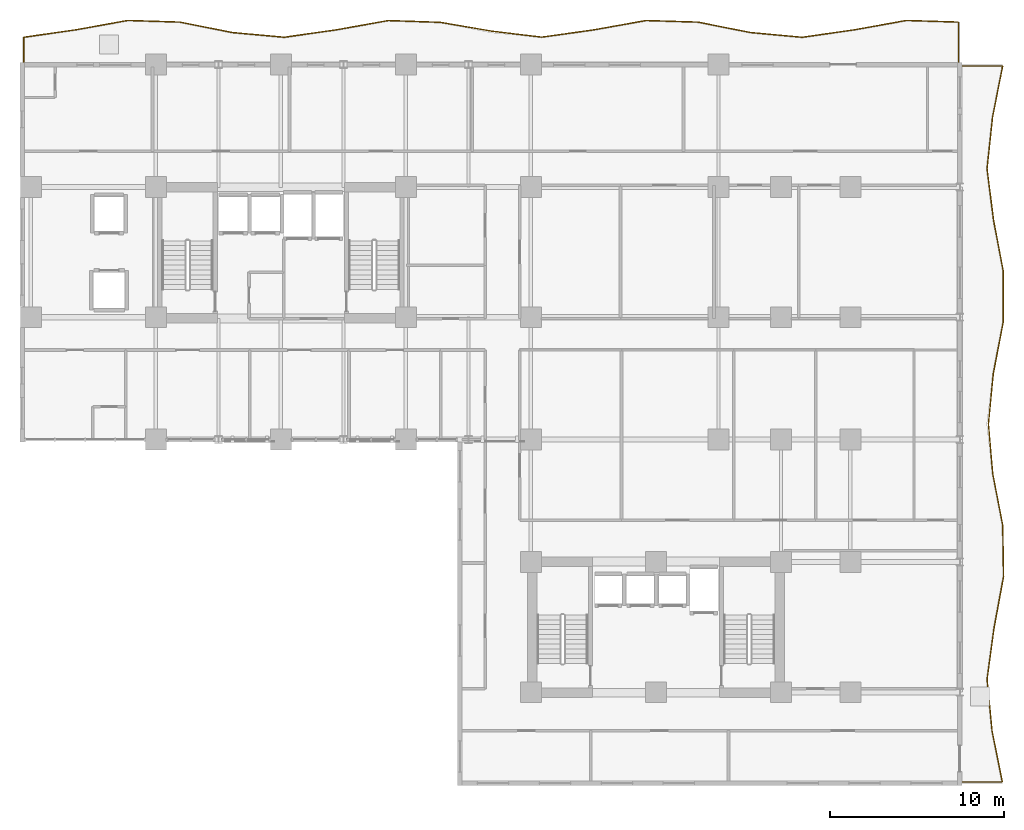
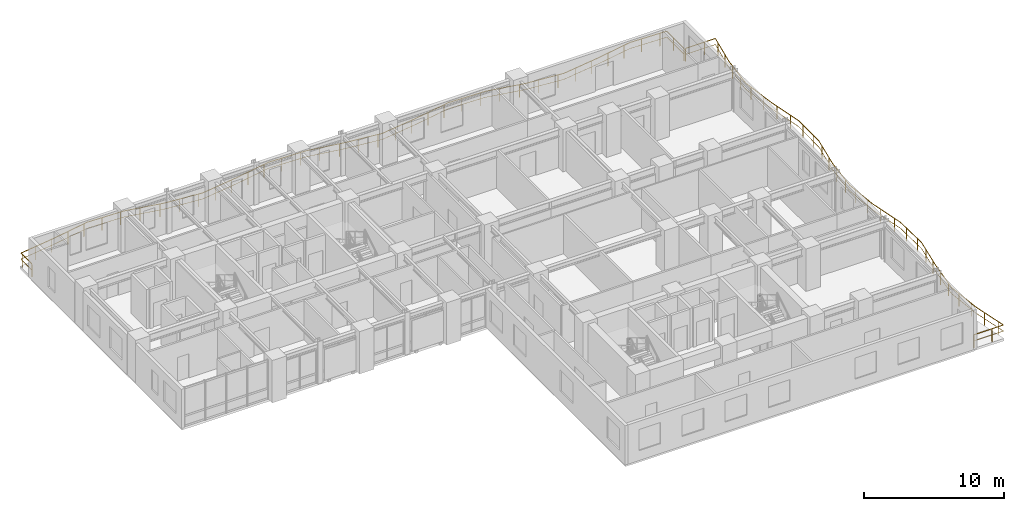
# One storey, part 16 of 16: 2 railings.
"""IFC4 building model written with IfcOpenShell, lengths in metres."""

import ifcopenshell
import ifcopenshell.guid

model = None  # the IFC model being written
_history = None  # IfcOwnerHistory: only IFC2X3 demands one
_inside = {}  # id of a spatial element -> (the spatial element, [elements in it])
_under = {}  # id of a project, library or spatial element -> (it, [spatial elements below it])
_declared = {}  # id of a project -> (the project, [libraries it declares])
_typed = {}  # id of a type object -> (the type object, [elements of that type])
_made_of = {}  # id of a material, layer set ... -> (it, [elements and type objects made of it])


def new_model(schema):
    """Start an empty IFC model of exactly this schema.

    Asked for "IFC4X3", IfcOpenShell would pick the latest addendum, in which some entities
    have other attributes; the version numbers below select the first issue.
    IFC2X3 requires an IfcOwnerHistory on every rooted entity: one is made here for all.
    """
    global model, _history
    if schema == "IFC4X3":
        model = ifcopenshell.file(schema_version=(4, 3, 0, 0))
    else:
        model = ifcopenshell.file(schema=schema)
    _inside.clear()
    _under.clear()
    _declared.clear()
    _typed.clear()
    _made_of.clear()
    _history = None
    if model.schema == "IFC2X3":
        org = make("IfcOrganization", Name="unknown")
        user = make(
            "IfcPersonAndOrganization",
            ThePerson=make("IfcPerson", FamilyName="unknown"),
            TheOrganization=org,
        )
        app = make(
            "IfcApplication",
            ApplicationDeveloper=org,
            Version="unknown",
            ApplicationFullName="unknown",
            ApplicationIdentifier="unknown",
        )
        _history = make(
            "IfcOwnerHistory",
            OwningUser=user,
            OwningApplication=app,
            ChangeAction="ADDED",
            CreationDate=0,
        )
    return model


def make(cls, **values):
    """One entity of the class cls with the attributes given. An attribute that is None is left unset."""
    return model.create_entity(
        cls, **{name: value for name, value in values.items() if value is not None}
    )


def rooted(cls, **values):
    """An entity with a GlobalId (a new one), such as an element, a storey or a relation."""
    return make(cls, GlobalId=ifcopenshell.guid.new(), OwnerHistory=_history, **values)


def si_unit(unit_type, name, prefix=None):
    """IfcSIUnit, for example si_unit("LENGTHUNIT", "METRE", prefix="MILLI")."""
    return make("IfcSIUnit", UnitType=unit_type, Prefix=prefix, Name=name)


def assignment(units):
    """IfcUnitAssignment: the units of a project."""
    return None if units is None else make("IfcUnitAssignment", Units=units)


def point(xyz):
    """IfcCartesianPoint."""
    return None if xyz is None else make("IfcCartesianPoint", Coordinates=xyz)


def direction(xyz):
    """IfcDirection."""
    return None if xyz is None else make("IfcDirection", DirectionRatios=xyz)


def frame(location, z_axis=None, x_axis=None):
    """IfcAxis2Placement3D, a coordinate frame: its origin and axes. An axis left out is left unset."""
    return make(
        "IfcAxis2Placement3D",
        Location=point(location),
        Axis=direction(z_axis),
        RefDirection=direction(x_axis),
    )


def frame_2d(location, x_axis=None):
    """IfcAxis2Placement2D, a coordinate frame in the plane: its origin and x axis."""
    return make(
        "IfcAxis2Placement2D", Location=point(location), RefDirection=direction(x_axis)
    )


def origin():
    """The frame at (0, 0, 0) with its axes left unset."""
    return frame((0.0, 0.0, 0.0))


def origin_2d():
    """The frame at (0, 0) in the plane with its x axis left unset."""
    return frame_2d((0.0, 0.0))


def place(relative_to, where):
    """IfcLocalPlacement: puts the frame where relative to a parent placement (None: the world)."""
    return make(
        "IfcLocalPlacement", PlacementRelTo=relative_to, RelativePlacement=where
    )


def context(
    kind, dimensions, precision=None, world=None, true_north=None, identifier=None
):
    """IfcGeometricRepresentationContext, for example the 3D "Model" context."""
    return make(
        "IfcGeometricRepresentationContext",
        ContextIdentifier=identifier,
        ContextType=kind,
        CoordinateSpaceDimension=dimensions,
        Precision=precision,
        WorldCoordinateSystem=world,
        TrueNorth=true_north,
    )


def subcontext(parent, identifier, kind, view, scale=None):
    """IfcGeometricRepresentationSubContext, for example "Body" below "Model"."""
    return make(
        "IfcGeometricRepresentationSubContext",
        ContextIdentifier=identifier,
        ContextType=kind,
        ParentContext=parent,
        TargetScale=scale,
        TargetView=view,
    )


def project(units=None, contexts=None):
    """IfcProject with its units and contexts."""
    return rooted(
        "IfcProject",
        Name="project",
        RepresentationContexts=contexts,
        UnitsInContext=assignment(units),
    )


def spatial(cls, under=None, at=None, **own):
    """A site, building, storey or space (cls), placed at a placement, below another one or the project."""
    s = rooted(cls, ObjectPlacement=at, **own)
    if under is not None:
        _under.setdefault(under.id(), (under, []))[1].append(s)
    return s


def profile(cls, at=None, kind="AREA", **sizes):
    """A parametric profile (cls). Its sizes go by their IFC names, for example OverallWidth=200.0."""
    return make(cls, ProfileType=kind, Position=at, **sizes)


def rectangle(**sizes):
    """IfcRectangleProfileDef."""
    return profile("IfcRectangleProfileDef", **sizes)


def extrude(swept, where, along, depth):
    """IfcExtrudedAreaSolid: the profile swept, set in the frame where, extruded along a direction by depth."""
    return make(
        "IfcExtrudedAreaSolid",
        SweptArea=swept,
        Position=where,
        ExtrudedDirection=direction(along),
        Depth=depth,
    )


def shape(context_of_items, identifier, shape_type, items):
    """IfcShapeRepresentation: the items that make up one representation, for example the "Body"."""
    return make(
        "IfcShapeRepresentation",
        ContextOfItems=context_of_items,
        RepresentationIdentifier=identifier,
        RepresentationType=shape_type,
        Items=items,
    )


def material(Name=None, Category=None):
    """IfcMaterial."""
    return make("IfcMaterial", Name=Name, Category=Category)


def made_of(thing, what):
    """Note that an element or type object is made of a material, layer set ...; save() writes the relation."""
    if what is not None:
        _made_of.setdefault(what.id(), (what, []))[1].append(thing)
    return thing


def type_object(cls, material=None, **own):
    """A type object (cls), such as IfcWallType, which elements share."""
    return made_of(rooted(cls, **own), material)


def element(
    cls,
    number,
    at=None,
    inside=None,
    cuts=None,
    type_object=None,
    material=None,
    context=None,
    identifier="Body",
    shape_type=None,
    held_by="IfcProductDefinitionShape",
    body=None,
    shapes=None,
    **own,
):
    """One element of the class cls, such as IfcWall. Its Tag is "e" and its number.

    at: its placement. inside: the storey or other place that contains it. cuts: it is an
    opening in that element (IfcRelVoidsElement). A single representation is given by context,
    identifier, shape_type and body (its items); several are given by shapes. held_by: the class
    of the entity that holds the representations. save() writes the other relations.
    """
    e = rooted(cls, Tag="e%d" % number, ObjectPlacement=at, **own)
    if body is not None:
        shapes = [shape(context, identifier, shape_type, body)]
    if shapes is not None:
        e.Representation = make(held_by, Representations=shapes)
    if inside is not None:
        _inside.setdefault(inside.id(), (inside, []))[1].append(e)
    if cuts is not None:
        rooted(
            "IfcRelVoidsElement", RelatingBuildingElement=cuts, RelatedOpeningElement=e
        )
    if type_object is not None:
        _typed.setdefault(type_object.id(), (type_object, []))[1].append(e)
    return made_of(e, material)


def aggregate(whole, parts):
    """IfcRelAggregates: a whole, such as a stair, and the parts it consists of."""
    return rooted("IfcRelAggregates", RelatingObject=whole, RelatedObjects=parts)


def save(model, path):
    """Write the relations noted so far, then the file.

    IfcRelAggregates (storeys below a building ...), IfcRelContainedInSpatialStructure (elements
    in a storey), IfcRelDefinesByType, IfcRelAssociatesMaterial and IfcRelDeclares: one each for
    every whole, place, type object, material and project.
    """
    for whole, parts in _under.values():
        aggregate(whole, parts)
    for where, things in _inside.values():
        rooted(
            "IfcRelContainedInSpatialStructure",
            RelatedElements=things,
            RelatingStructure=where,
        )
    for kind, things in _typed.values():
        rooted("IfcRelDefinesByType", RelatedObjects=things, RelatingType=kind)
    for what, things in _made_of.values():
        rooted("IfcRelAssociatesMaterial", RelatedObjects=things, RelatingMaterial=what)
    for by, libraries in _declared.values():
        rooted("IfcRelDeclares", RelatingContext=by, RelatedDefinitions=libraries)
    model.write(path)


model = new_model("IFC4")

# Units and contexts
model_context = context("Model", 3, precision=1e-05, world=origin(), true_north=direction((0.0, 1.0)))
body_context = subcontext(model_context, "Body", "Model", "MODEL_VIEW")
ifc_project = project(units=[si_unit("LENGTHUNIT", "METRE"), si_unit("AREAUNIT", "SQUARE_METRE"), si_unit("VOLUMEUNIT", "CUBIC_METRE"), si_unit("PLANEANGLEUNIT", "RADIAN"), si_unit("MASSUNIT", "GRAM", prefix="KILO")], contexts=[model_context])

# Site, building, storey
site_placement = place(None, origin())
site = spatial("IfcSite", under=ifc_project, at=site_placement, CompositionType="ELEMENT")
building_placement = place(site_placement, origin())
building = spatial("IfcBuilding", under=site, at=building_placement, Name="Kaliganga Portal Commons", CompositionType="ELEMENT")
storey_placement = place(building_placement, frame((0.0, 0.0, 97.10009765625)))
storey = spatial("IfcBuildingStorey", under=building, at=storey_placement, Name="L24", CompositionType="ELEMENT", Elevation=97.10009765625)

# Railings
ifc_material = material(Name="Laminated Safety Glass and Stainless Steel 316", Category="steel")
railing_type = type_object("IfcRailingType", Name="RLG-BAL-1150", PredefinedType="BALUSTRADE", material=ifc_material)
railing_1_placement = place(storey_placement, frame((60.6201171875, 43.20556640625, 0.0)))
element("IfcRailing", 1, at=railing_1_placement, inside=storey, type_object=railing_type, Name="Balcony Guardrail L24 balc_north", PredefinedType="BALUSTRADE", context=body_context, shape_type="SweptSolid", body=[
    extrude(rectangle(XDim=0.048095703125, YDim=0.048095703125, at=origin_2d()), frame((0.0, 0.0, 1.1259765625), z_axis=(0.0, 1.0, 0.0), x_axis=(-1.0, 0.0, 0.0)), (0.0, 0.0, 1.0), 2.441162109375),
    extrude(rectangle(XDim=0.028076171875, YDim=0.028076171875, at=origin_2d()), frame((0.0, 0.0, 0.597900390625), z_axis=(0.0, 1.0, 0.0), x_axis=(-1.0, 0.0, 0.0)), (0.0, 0.0, 1.0), 2.441162109375),
    extrude(rectangle(XDim=0.048095703125, YDim=0.048095703125, at=origin_2d()), frame((0.0, 2.441162109375, 1.1259765625), z_axis=(-0.999501865696, 0.031559791983, 0.0), x_axis=(-0.031559791983, -0.999501865696, 0.0)), (0.0, 0.0, 1.0), 3.00146484375),
    extrude(rectangle(XDim=0.028076171875, YDim=0.028076171875, at=origin_2d()), frame((0.0, 2.441162109375, 0.597900390625), z_axis=(-0.999501865696, 0.031559791983, 0.0), x_axis=(-0.031559791983, -0.999501865696, 0.0)), (0.0, 0.0, 1.0), 3.00146484375),
    extrude(rectangle(XDim=0.048095703125, YDim=0.048095703125, at=origin_2d()), frame((-3.0, 2.535888671875, 1.1259765625), z_axis=(-0.984153147736, -0.177320562263, 0.0), x_axis=(0.177320562263, -0.984153147736, 0.0)), (0.0, 0.0, 1.0), 3.04833984375),
    extrude(rectangle(XDim=0.028076171875, YDim=0.028076171875, at=origin_2d()), frame((-3.0, 2.535888671875, 0.597900390625), z_axis=(-0.984153147736, -0.177320562263, 0.0), x_axis=(0.177320562263, -0.984153147736, 0.0)), (0.0, 0.0, 1.0), 3.04833984375),
    extrude(rectangle(XDim=0.048095703125, YDim=0.048095703125, at=origin_2d()), frame((-6.0, 1.995361328125, 1.1259765625), z_axis=(-0.989954326844, -0.141387519825, 0.0), x_axis=(0.141387519825, -0.989954326844, 0.0)), (0.0, 0.0, 1.0), 3.030517578125),
    extrude(rectangle(XDim=0.028076171875, YDim=0.028076171875, at=origin_2d()), frame((-6.0, 1.995361328125, 0.597900390625), z_axis=(-0.989954326844, -0.141387519825, 0.0), x_axis=(0.141387519825, -0.989954326844, 0.0)), (0.0, 0.0, 1.0), 3.030517578125),
    extrude(rectangle(XDim=0.048095703125, YDim=0.048095703125, at=origin_2d()), frame((-9.0, 1.56689453125, 1.1259765625), z_axis=(-0.995820483332, 0.091332168352, 0.0), x_axis=(-0.091332168352, -0.995820483332, 0.0)), (0.0, 0.0, 1.0), 3.0126953125),
    extrude(rectangle(XDim=0.028076171875, YDim=0.028076171875, at=origin_2d()), frame((-9.0, 1.56689453125, 0.597900390625), z_axis=(-0.995820483332, 0.091332168352, 0.0), x_axis=(-0.091332168352, -0.995820483332, 0.0)), (0.0, 0.0, 1.0), 3.0126953125),
    extrude(rectangle(XDim=0.048095703125, YDim=0.048095703125, at=origin_2d()), frame((-12.0, 1.842041015625, 1.1259765625), z_axis=(-0.980758318904, 0.195225817711, 0.0), x_axis=(-0.195225817711, -0.980758318904, 0.0)), (0.0, 0.0, 1.0), 3.058837890625),
    extrude(rectangle(XDim=0.028076171875, YDim=0.028076171875, at=origin_2d()), frame((-12.0, 1.842041015625, 0.597900390625), z_axis=(-0.980758318904, 0.195225817711, 0.0), x_axis=(-0.195225817711, -0.980758318904, 0.0)), (0.0, 0.0, 1.0), 3.058837890625),
    extrude(rectangle(XDim=0.048095703125, YDim=0.048095703125, at=origin_2d()), frame((-15.0, 2.439208984375, 1.1259765625), z_axis=(-0.999519664647, 0.030990966165, 0.0), x_axis=(-0.030990966165, -0.999519664647, 0.0)), (0.0, 0.0, 1.0), 3.00146484375),
    extrude(rectangle(XDim=0.028076171875, YDim=0.028076171875, at=origin_2d()), frame((-15.0, 2.439208984375, 0.597900390625), z_axis=(-0.999519664647, 0.030990966165, 0.0), x_axis=(-0.030990966165, -0.999519664647, 0.0)), (0.0, 0.0, 1.0), 3.00146484375),
    extrude(rectangle(XDim=0.048095703125, YDim=0.048095703125, at=origin_2d()), frame((-18.0, 2.5322265625, 1.1259765625), z_axis=(-0.984306544879, -0.176467066924, 0.0), x_axis=(0.176467066924, -0.984306544879, 0.0)), (0.0, 0.0, 1.0), 3.0478515625),
    extrude(rectangle(XDim=0.028076171875, YDim=0.028076171875, at=origin_2d()), frame((-18.0, 2.5322265625, 0.597900390625), z_axis=(-0.984306544879, -0.176467066924, 0.0), x_axis=(0.176467066924, -0.984306544879, 0.0)), (0.0, 0.0, 1.0), 3.0478515625),
    extrude(rectangle(XDim=0.048095703125, YDim=0.048095703125, at=origin_2d()), frame((-21.0, 1.994384765625, 1.1259765625), z_axis=(-0.990331118511, -0.138723738805, 0.0), x_axis=(0.138723738805, -0.990331118511, 0.0)), (0.0, 0.0, 1.0), 3.02880859375),
    extrude(rectangle(XDim=0.028076171875, YDim=0.028076171875, at=origin_2d()), frame((-21.0, 1.994384765625, 0.597900390625), z_axis=(-0.990331118511, -0.138723738805, 0.0), x_axis=(0.138723738805, -0.990331118511, 0.0)), (0.0, 0.0, 1.0), 3.02880859375),
    extrude(rectangle(XDim=0.048095703125, YDim=0.048095703125, at=origin_2d()), frame((-23.99951171875, 1.57421875, 1.1259765625), z_axis=(-0.992999637098, 0.11811740229, 0.0), x_axis=(-0.11811740229, -0.992999637098, 0.0)), (0.0, 0.0, 1.0), 2.941162109375),
    extrude(rectangle(XDim=0.028076171875, YDim=0.028076171875, at=origin_2d()), frame((-23.99951171875, 1.57421875, 0.597900390625), z_axis=(-0.992999637098, 0.11811740229, 0.0), x_axis=(-0.11811740229, -0.992999637098, 0.0)), (0.0, 0.0, 1.0), 2.941162109375),
    extrude(rectangle(XDim=0.048095703125, YDim=0.048095703125, at=origin_2d()), frame((-26.920166015625, 1.921630859375, 1.1259765625), z_axis=(-0.985293235579, 0.170871998648, 0.0), x_axis=(-0.170871998648, -0.985293235579, 0.0)), (0.0, 0.0, 1.0), 2.96484375),
    extrude(rectangle(XDim=0.028076171875, YDim=0.028076171875, at=origin_2d()), frame((-26.920166015625, 1.921630859375, 0.597900390625), z_axis=(-0.985293235579, 0.170871998648, 0.0), x_axis=(-0.170871998648, -0.985293235579, 0.0)), (0.0, 0.0, 1.0), 2.96484375),
    extrude(rectangle(XDim=0.048095703125, YDim=0.048095703125, at=origin_2d()), frame((-29.84130859375, 2.42822265625, 1.1259765625), z_axis=(-0.999429908755, 0.033761775509, 0.0), x_axis=(-0.033761775509, -0.999429908755, 0.0)), (0.0, 0.0, 1.0), 3.0009765625),
    extrude(rectangle(XDim=0.028076171875, YDim=0.028076171875, at=origin_2d()), frame((-29.84130859375, 2.42822265625, 0.597900390625), z_axis=(-0.999429908755, 0.033761775509, 0.0), x_axis=(-0.033761775509, -0.999429908755, 0.0)), (0.0, 0.0, 1.0), 3.0009765625),
    extrude(rectangle(XDim=0.048095703125, YDim=0.048095703125, at=origin_2d()), frame((-32.840576171875, 2.529541015625, 1.1259765625), z_axis=(-0.98448200502, -0.175485560068, 0.0), x_axis=(0.175485560068, -0.98448200502, 0.0)), (0.0, 0.0, 1.0), 3.046875),
    extrude(rectangle(XDim=0.028076171875, YDim=0.028076171875, at=origin_2d()), frame((-32.840576171875, 2.529541015625, 0.597900390625), z_axis=(-0.98448200502, -0.175485560068, 0.0), x_axis=(0.175485560068, -0.98448200502, 0.0)), (0.0, 0.0, 1.0), 3.046875),
    extrude(rectangle(XDim=0.048095703125, YDim=0.048095703125, at=origin_2d()), frame((-35.840087890625, 1.994873046875, 1.1259765625), z_axis=(-0.990010631998, -0.140992725097, 0.0), x_axis=(0.140992725097, -0.990010631998, 0.0)), (0.0, 0.0, 1.0), 3.0302734375),
    extrude(rectangle(XDim=0.028076171875, YDim=0.028076171875, at=origin_2d()), frame((-35.840087890625, 1.994873046875, 0.597900390625), z_axis=(-0.990010631998, -0.140992725097, 0.0), x_axis=(0.140992725097, -0.990010631998, 0.0)), (0.0, 0.0, 1.0), 3.0302734375),
    extrude(rectangle(XDim=0.048095703125, YDim=0.048095703125, at=origin_2d()), frame((-38.840087890625, 1.567626953125, 1.1259765625), z_axis=(-0.99584256653, 0.091091068097, 0.0), x_axis=(-0.091091068097, -0.99584256653, 0.0)), (0.0, 0.0, 1.0), 3.012451171875),
    extrude(rectangle(XDim=0.028076171875, YDim=0.028076171875, at=origin_2d()), frame((-38.840087890625, 1.567626953125, 0.597900390625), z_axis=(-0.99584256653, 0.091091068097, 0.0), x_axis=(-0.091091068097, -0.99584256653, 0.0)), (0.0, 0.0, 1.0), 3.012451171875),
    extrude(rectangle(XDim=0.048095703125, YDim=0.048095703125, at=origin_2d()), frame((-41.840087890625, 1.842041015625, 1.1259765625), z_axis=(-0.980681839779, 0.195609634546, 0.0), x_axis=(-0.195609634546, -0.980681839779, 0.0)), (0.0, 0.0, 1.0), 3.05908203125),
    extrude(rectangle(XDim=0.028076171875, YDim=0.028076171875, at=origin_2d()), frame((-41.840087890625, 1.842041015625, 0.597900390625), z_axis=(-0.980681839779, 0.195609634546, 0.0), x_axis=(-0.195609634546, -0.980681839779, 0.0)), (0.0, 0.0, 1.0), 3.05908203125),
    extrude(rectangle(XDim=0.048095703125, YDim=0.048095703125, at=origin_2d()), frame((-44.840087890625, 2.4404296875, 1.1259765625), z_axis=(-0.999496720941, 0.031722308038, 0.0), x_axis=(-0.031722308038, -0.999496720941, 0.0)), (0.0, 0.0, 1.0), 3.00146484375),
    extrude(rectangle(XDim=0.028076171875, YDim=0.028076171875, at=origin_2d()), frame((-44.840087890625, 2.4404296875, 0.597900390625), z_axis=(-0.999496720941, 0.031722308038, 0.0), x_axis=(-0.031722308038, -0.999496720941, 0.0)), (0.0, 0.0, 1.0), 3.00146484375),
    extrude(rectangle(XDim=0.048095703125, YDim=0.048095703125, at=origin_2d()), frame((-47.840087890625, 2.53564453125, 1.1259765625), z_axis=(-0.984167121533, -0.177242988277, 0.0), x_axis=(0.177242988277, -0.984167121533, 0.0)), (0.0, 0.0, 1.0), 3.04833984375),
    extrude(rectangle(XDim=0.028076171875, YDim=0.028076171875, at=origin_2d()), frame((-47.840087890625, 2.53564453125, 0.597900390625), z_axis=(-0.984167121533, -0.177242988277, 0.0), x_axis=(0.177242988277, -0.984167121533, 0.0)), (0.0, 0.0, 1.0), 3.04833984375),
    extrude(rectangle(XDim=0.048095703125, YDim=0.048095703125, at=origin_2d()), frame((-50.840087890625, 1.995361328125, 1.1259765625), z_axis=(-0.989943047691, -0.141466470682, 0.0), x_axis=(0.141466470682, -0.989943047691, 0.0)), (0.0, 0.0, 1.0), 3.030517578125),
    extrude(rectangle(XDim=0.028076171875, YDim=0.028076171875, at=origin_2d()), frame((-50.840087890625, 1.995361328125, 0.597900390625), z_axis=(-0.989943047691, -0.141466470682, 0.0), x_axis=(0.141466470682, -0.989943047691, 0.0)), (0.0, 0.0, 1.0), 3.030517578125),
    extrude(rectangle(XDim=0.048095703125, YDim=0.048095703125, at=origin_2d()), frame((-53.840087890625, 1.566650390625, 1.1259765625), z_axis=(-0.000155836059, -0.999999987858, 0.0), x_axis=(0.999999987858, -0.000155836059, 0.0)), (0.0, 0.0, 1.0), 1.566650390625),
    extrude(rectangle(XDim=0.028076171875, YDim=0.028076171875, at=origin_2d()), frame((-53.840087890625, 1.566650390625, 0.597900390625), z_axis=(-0.000155836059, -0.999999987858, 0.0), x_axis=(0.999999987858, -0.000155836059, 0.0)), (0.0, 0.0, 1.0), 1.566650390625),
    extrude(rectangle(XDim=0.0419921875, YDim=0.0419921875, at=origin_2d()), origin(), (0.0, 0.0, 1.0), 1.101806640625),
    extrude(rectangle(XDim=0.0419921875, YDim=0.0419921875, at=origin_2d()), frame((0.0, 1.5, 0.0)), (0.0, 0.0, 1.0), 1.101806640625),
    extrude(rectangle(XDim=0.0419921875, YDim=0.0419921875, at=origin_2d()), frame((-0.55859375, 2.458740234375, 0.0)), (0.0, 0.0, 1.0), 1.101806640625),
    extrude(rectangle(XDim=0.0419921875, YDim=0.0419921875, at=origin_2d()), frame((-2.057861328125, 2.506103515625, 0.0)), (0.0, 0.0, 1.0), 1.101806640625),
    extrude(rectangle(XDim=0.0419921875, YDim=0.0419921875, at=origin_2d()), frame((-3.548583984375, 2.43701171875, 0.0)), (0.0, 0.0, 1.0), 1.101806640625),
    extrude(rectangle(XDim=0.0419921875, YDim=0.0419921875, at=origin_2d()), frame((-5.024658203125, 2.171142578125, 0.0)), (0.0, 0.0, 1.0), 1.101806640625),
    extrude(rectangle(XDim=0.0419921875, YDim=0.0419921875, at=origin_2d()), frame((-6.50390625, 1.92333984375, 0.0)), (0.0, 0.0, 1.0), 1.101806640625),
    extrude(rectangle(XDim=0.0419921875, YDim=0.0419921875, at=origin_2d()), frame((-7.98876953125, 1.71142578125, 0.0)), (0.0, 0.0, 1.0), 1.101806640625),
    extrude(rectangle(XDim=0.0419921875, YDim=0.0419921875, at=origin_2d()), frame((-9.4765625, 1.610595703125, 0.0)), (0.0, 0.0, 1.0), 1.101806640625),
    extrude(rectangle(XDim=0.0419921875, YDim=0.0419921875, at=origin_2d()), frame((-10.97021484375, 1.74755859375, 0.0)), (0.0, 0.0, 1.0), 1.101806640625),
    extrude(rectangle(XDim=0.0419921875, YDim=0.0419921875, at=origin_2d()), frame((-12.45703125, 1.93310546875, 0.0)), (0.0, 0.0, 1.0), 1.101806640625),
    extrude(rectangle(XDim=0.0419921875, YDim=0.0419921875, at=origin_2d()), frame((-13.92822265625, 2.225830078125, 0.0)), (0.0, 0.0, 1.0), 1.101806640625),
    extrude(rectangle(XDim=0.0419921875, YDim=0.0419921875, at=origin_2d()), frame((-15.406982421875, 2.451904296875, 0.0)), (0.0, 0.0, 1.0), 1.101806640625),
    extrude(rectangle(XDim=0.0419921875, YDim=0.0419921875, at=origin_2d()), frame((-16.90625, 2.498291015625, 0.0)), (0.0, 0.0, 1.0), 1.101806640625),
    extrude(rectangle(XDim=0.0419921875, YDim=0.0419921875, at=origin_2d()), frame((-18.3994140625, 2.460693359375, 0.0)), (0.0, 0.0, 1.0), 1.101806640625),
    extrude(rectangle(XDim=0.0419921875, YDim=0.0419921875, at=origin_2d()), frame((-19.875732421875, 2.196044921875, 0.0)), (0.0, 0.0, 1.0), 1.101806640625),
    extrude(rectangle(XDim=0.0419921875, YDim=0.0419921875, at=origin_2d()), frame((-21.3544921875, 1.94482421875, 0.0)), (0.0, 0.0, 1.0), 1.101806640625),
    extrude(rectangle(XDim=0.0419921875, YDim=0.0419921875, at=origin_2d()), frame((-22.83984375, 1.736572265625, 0.0)), (0.0, 0.0, 1.0), 1.101806640625),
    extrude(rectangle(XDim=0.0419921875, YDim=0.0419921875, at=origin_2d()), frame((-24.326171875, 1.613037109375, 0.0)), (0.0, 0.0, 1.0), 1.101806640625),
    extrude(rectangle(XDim=0.0419921875, YDim=0.0419921875, at=origin_2d()), frame((-25.815673828125, 1.790283203125, 0.0)), (0.0, 0.0, 1.0), 1.101806640625),
    extrude(rectangle(XDim=0.0419921875, YDim=0.0419921875, at=origin_2d()), frame((-27.30224609375, 1.98779296875, 0.0)), (0.0, 0.0, 1.0), 1.101806640625),
    extrude(rectangle(XDim=0.0419921875, YDim=0.0419921875, at=origin_2d()), frame((-28.7802734375, 2.244140625, 0.0)), (0.0, 0.0, 1.0), 1.101806640625),
    extrude(rectangle(XDim=0.0419921875, YDim=0.0419921875, at=origin_2d()), frame((-30.26416015625, 2.442626953125, 0.0)), (0.0, 0.0, 1.0), 1.101806640625),
    extrude(rectangle(XDim=0.0419921875, YDim=0.0419921875, at=origin_2d()), frame((-31.76318359375, 2.4931640625, 0.0)), (0.0, 0.0, 1.0), 1.101806640625),
    extrude(rectangle(XDim=0.0419921875, YDim=0.0419921875, at=origin_2d()), frame((-33.256103515625, 2.45556640625, 0.0)), (0.0, 0.0, 1.0), 1.101806640625),
    extrude(rectangle(XDim=0.0419921875, YDim=0.0419921875, at=origin_2d()), frame((-34.73291015625, 2.192138671875, 0.0)), (0.0, 0.0, 1.0), 1.101806640625),
    extrude(rectangle(XDim=0.0419921875, YDim=0.0419921875, at=origin_2d()), frame((-36.211669921875, 1.94189453125, 0.0)), (0.0, 0.0, 1.0), 1.101806640625),
    extrude(rectangle(XDim=0.0419921875, YDim=0.0419921875, at=origin_2d()), frame((-37.69677734375, 1.73046875, 0.0)), (0.0, 0.0, 1.0), 1.101806640625),
    extrude(rectangle(XDim=0.0419921875, YDim=0.0419921875, at=origin_2d()), frame((-39.18359375, 1.59912109375, 0.0)), (0.0, 0.0, 1.0), 1.101806640625),
    extrude(rectangle(XDim=0.0419921875, YDim=0.0419921875, at=origin_2d()), frame((-40.677490234375, 1.735595703125, 0.0)), (0.0, 0.0, 1.0), 1.101806640625),
    extrude(rectangle(XDim=0.0419921875, YDim=0.0419921875, at=origin_2d()), frame((-42.166259765625, 1.906982421875, 0.0)), (0.0, 0.0, 1.0), 1.101806640625),
    extrude(rectangle(XDim=0.0419921875, YDim=0.0419921875, at=origin_2d()), frame((-43.63720703125, 2.200439453125, 0.0)), (0.0, 0.0, 1.0), 1.101806640625),
    extrude(rectangle(XDim=0.0419921875, YDim=0.0419921875, at=origin_2d()), frame((-45.11328125, 2.44921875, 0.0)), (0.0, 0.0, 1.0), 1.101806640625),
    extrude(rectangle(XDim=0.0419921875, YDim=0.0419921875, at=origin_2d()), frame((-46.612548828125, 2.49658203125, 0.0)), (0.0, 0.0, 1.0), 1.101806640625),
    extrude(rectangle(XDim=0.0419921875, YDim=0.0419921875, at=origin_2d()), frame((-48.107666015625, 2.487548828125, 0.0)), (0.0, 0.0, 1.0), 1.101806640625),
    extrude(rectangle(XDim=0.0419921875, YDim=0.0419921875, at=origin_2d()), frame((-49.583984375, 2.2216796875, 0.0)), (0.0, 0.0, 1.0), 1.101806640625),
    extrude(rectangle(XDim=0.0419921875, YDim=0.0419921875, at=origin_2d()), frame((-51.0615234375, 1.963623046875, 0.0)), (0.0, 0.0, 1.0), 1.101806640625),
    extrude(rectangle(XDim=0.0419921875, YDim=0.0419921875, at=origin_2d()), frame((-52.54638671875, 1.75146484375, 0.0)), (0.0, 0.0, 1.0), 1.101806640625),
    extrude(rectangle(XDim=0.0419921875, YDim=0.0419921875, at=origin_2d()), frame((-53.840087890625, 1.37353515625, 0.0)), (0.0, 0.0, 1.0), 1.101806640625),
    extrude(rectangle(XDim=0.0419921875, YDim=0.0419921875, at=origin_2d()), frame((-53.84033203125, 0.0, 0.0)), (0.0, 0.0, 1.0), 1.101806640625),
])
railing_2_placement = place(storey_placement, frame((60.70703125, 1.879638671875, 0.0)))
element("IfcRailing", 2, at=railing_2_placement, inside=storey, type_object=railing_type, Name="Balcony Guardrail L24 balc_east", PredefinedType="BALUSTRADE", context=body_context, shape_type="SweptSolid", body=[
    extrude(rectangle(XDim=0.048095703125, YDim=0.048095703125, at=origin_2d()), frame((0.0, 0.0, 1.1259765625), z_axis=(0.99999999499, 0.0001001001, 0.0), x_axis=(-0.0001001001, 0.99999999499, 0.0)), (0.0, 0.0, 1.0), 2.43896484375),
    extrude(rectangle(XDim=0.028076171875, YDim=0.028076171875, at=origin_2d()), frame((0.0, 0.0, 0.597900390625), z_axis=(0.99999999499, 0.0001001001, 0.0), x_axis=(-0.0001001001, 0.99999999499, 0.0)), (0.0, 0.0, 1.0), 2.43896484375),
    extrude(rectangle(XDim=0.048095703125, YDim=0.048095703125, at=origin_2d()), frame((2.43896484375, 0.000244140625, 1.1259765625), z_axis=(-0.195758035689, 0.980652227583, 0.0), x_axis=(-0.980652227583, -0.195758035689, 0.0)), (0.0, 0.0, 1.0), 3.015625),
    extrude(rectangle(XDim=0.028076171875, YDim=0.028076171875, at=origin_2d()), frame((2.43896484375, 0.000244140625, 0.597900390625), z_axis=(-0.195758035689, 0.980652227583, 0.0), x_axis=(-0.980652227583, -0.195758035689, 0.0)), (0.0, 0.0, 1.0), 3.015625),
    extrude(rectangle(XDim=0.048095703125, YDim=0.048095703125, at=origin_2d()), frame((1.8486328125, 2.95751953125, 1.1259765625), z_axis=(-0.09615085245, 0.995366773392, 0.0), x_axis=(-0.995366773392, -0.09615085245, 0.0)), (0.0, 0.0, 1.0), 2.970703125),
    extrude(rectangle(XDim=0.028076171875, YDim=0.028076171875, at=origin_2d()), frame((1.8486328125, 2.95751953125, 0.597900390625), z_axis=(-0.09615085245, 0.995366773392, 0.0), x_axis=(-0.995366773392, -0.09615085245, 0.0)), (0.0, 0.0, 1.0), 2.970703125),
    extrude(rectangle(XDim=0.048095703125, YDim=0.048095703125, at=origin_2d()), frame((1.56298828125, 5.91455078125, 1.1259765625), z_axis=(0.135051149595, 0.990838628129, 0.0), x_axis=(-0.990838628129, 0.135051149595, 0.0)), (0.0, 0.0, 1.0), 2.984619140625),
    extrude(rectangle(XDim=0.028076171875, YDim=0.028076171875, at=origin_2d()), frame((1.56298828125, 5.91455078125, 0.597900390625), z_axis=(0.135051149595, 0.990838628129, 0.0), x_axis=(-0.990838628129, 0.135051149595, 0.0)), (0.0, 0.0, 1.0), 2.984619140625),
    extrude(rectangle(XDim=0.048095703125, YDim=0.048095703125, at=origin_2d()), frame((1.966064453125, 8.871826171875, 1.1259765625), z_axis=(0.181621160981, 0.98336857479, 0.0), x_axis=(-0.98336857479, 0.181621160981, 0.0)), (0.0, 0.0, 1.0), 3.007080078125),
    extrude(rectangle(XDim=0.028076171875, YDim=0.028076171875, at=origin_2d()), frame((1.966064453125, 8.871826171875, 0.597900390625), z_axis=(0.181621160981, 0.98336857479, 0.0), x_axis=(-0.98336857479, 0.181621160981, 0.0)), (0.0, 0.0, 1.0), 3.007080078125),
    extrude(rectangle(XDim=0.048095703125, YDim=0.048095703125, at=origin_2d()), frame((2.51220703125, 11.828857421875, 1.1259765625), z_axis=(-0.01634658941, 0.999866385581, 0.0), x_axis=(-0.999866385581, -0.01634658941, 0.0)), (0.0, 0.0, 1.0), 2.957275390625),
    extrude(rectangle(XDim=0.028076171875, YDim=0.028076171875, at=origin_2d()), frame((2.51220703125, 11.828857421875, 0.597900390625), z_axis=(-0.01634658941, 0.999866385581, 0.0), x_axis=(-0.999866385581, -0.01634658941, 0.0)), (0.0, 0.0, 1.0), 2.957275390625),
    extrude(rectangle(XDim=0.048095703125, YDim=0.048095703125, at=origin_2d()), frame((2.4638671875, 14.78564453125, 1.1259765625), z_axis=(-0.190674449267, 0.981653326993, 0.0), x_axis=(-0.981653326993, -0.190674449267, 0.0)), (0.0, 0.0, 1.0), 3.0126953125),
    extrude(rectangle(XDim=0.028076171875, YDim=0.028076171875, at=origin_2d()), frame((2.4638671875, 14.78564453125, 0.597900390625), z_axis=(-0.190674449267, 0.981653326993, 0.0), x_axis=(-0.981653326993, -0.190674449267, 0.0)), (0.0, 0.0, 1.0), 3.0126953125),
    extrude(rectangle(XDim=0.048095703125, YDim=0.048095703125, at=origin_2d()), frame((1.889404296875, 17.7431640625, 1.1259765625), z_axis=(-0.087067331522, 0.996202429118, 0.0), x_axis=(-0.996202429118, -0.087067331522, 0.0)), (0.0, 0.0, 1.0), 2.88818359375),
    extrude(rectangle(XDim=0.028076171875, YDim=0.028076171875, at=origin_2d()), frame((1.889404296875, 17.7431640625, 0.597900390625), z_axis=(-0.087067331522, 0.996202429118, 0.0), x_axis=(-0.996202429118, -0.087067331522, 0.0)), (0.0, 0.0, 1.0), 2.88818359375),
    extrude(rectangle(XDim=0.048095703125, YDim=0.048095703125, at=origin_2d()), frame((1.637939453125, 20.620361328125, 1.1259765625), z_axis=(0.097287675922, 0.995256302725, 0.0), x_axis=(-0.995256302725, 0.097287675922, 0.0)), (0.0, 0.0, 1.0), 2.890869140625),
    extrude(rectangle(XDim=0.028076171875, YDim=0.028076171875, at=origin_2d()), frame((1.637939453125, 20.620361328125, 0.597900390625), z_axis=(0.097287675922, 0.995256302725, 0.0), x_axis=(-0.995256302725, 0.097287675922, 0.0)), (0.0, 0.0, 1.0), 2.890869140625),
    extrude(rectangle(XDim=0.048095703125, YDim=0.048095703125, at=origin_2d()), frame((1.919189453125, 23.49755859375, 1.1259765625), z_axis=(0.187548028569, 0.982255433673, 0.0), x_axis=(-0.982255433673, 0.187548028569, 0.0)), (0.0, 0.0, 1.0), 3.010986328125),
    extrude(rectangle(XDim=0.028076171875, YDim=0.028076171875, at=origin_2d()), frame((1.919189453125, 23.49755859375, 0.597900390625), z_axis=(0.187548028569, 0.982255433673, 0.0), x_axis=(-0.982255433673, 0.187548028569, 0.0)), (0.0, 0.0, 1.0), 3.010986328125),
    extrude(rectangle(XDim=0.048095703125, YDim=0.048095703125, at=origin_2d()), frame((2.48388671875, 26.455078125, 1.1259765625), z_axis=(0.00371560477, 0.999993097117, 0.0), x_axis=(-0.999993097117, 0.00371560477, 0.0)), (0.0, 0.0, 1.0), 2.956787109375),
    extrude(rectangle(XDim=0.028076171875, YDim=0.028076171875, at=origin_2d()), frame((2.48388671875, 26.455078125, 0.597900390625), z_axis=(0.00371560477, 0.999993097117, 0.0), x_axis=(-0.999993097117, 0.00371560477, 0.0)), (0.0, 0.0, 1.0), 2.956787109375),
    extrude(rectangle(XDim=0.048095703125, YDim=0.048095703125, at=origin_2d()), frame((2.494873046875, 29.411865234375, 1.1259765625), z_axis=(-0.186168942481, 0.982517747858, 0.0), x_axis=(-0.982517747858, -0.186168942481, 0.0)), (0.0, 0.0, 1.0), 3.009765625),
    extrude(rectangle(XDim=0.028076171875, YDim=0.028076171875, at=origin_2d()), frame((2.494873046875, 29.411865234375, 0.597900390625), z_axis=(-0.186168942481, 0.982517747858, 0.0), x_axis=(-0.982517747858, -0.186168942481, 0.0)), (0.0, 0.0, 1.0), 3.009765625),
    extrude(rectangle(XDim=0.048095703125, YDim=0.048095703125, at=origin_2d()), frame((1.9345703125, 32.368896484375, 1.1259765625), z_axis=(-0.125637327584, 0.992076237956, 0.0), x_axis=(-0.992076237956, -0.125637327584, 0.0)), (0.0, 0.0, 1.0), 2.98095703125),
    extrude(rectangle(XDim=0.028076171875, YDim=0.028076171875, at=origin_2d()), frame((1.9345703125, 32.368896484375, 0.597900390625), z_axis=(-0.125637327584, 0.992076237956, 0.0), x_axis=(-0.992076237956, -0.125637327584, 0.0)), (0.0, 0.0, 1.0), 2.98095703125),
    extrude(rectangle(XDim=0.048095703125, YDim=0.048095703125, at=origin_2d()), frame((1.56005859375, 35.326171875, 1.1259765625), z_axis=(0.106962088755, 0.994263099772, 0.0), x_axis=(-0.994263099772, 0.106962088755, 0.0)), (0.0, 0.0, 1.0), 2.97412109375),
    extrude(rectangle(XDim=0.028076171875, YDim=0.028076171875, at=origin_2d()), frame((1.56005859375, 35.326171875, 0.597900390625), z_axis=(0.106962088755, 0.994263099772, 0.0), x_axis=(-0.994263099772, 0.106962088755, 0.0)), (0.0, 0.0, 1.0), 2.97412109375),
    extrude(rectangle(XDim=0.048095703125, YDim=0.048095703125, at=origin_2d()), frame((1.878173828125, 38.283203125, 1.1259765625), z_axis=(0.193420688779, 0.981115914228, 0.0), x_axis=(-0.981115914228, 0.193420688779, 0.0)), (0.0, 0.0, 1.0), 3.01416015625),
    extrude(rectangle(XDim=0.028076171875, YDim=0.028076171875, at=origin_2d()), frame((1.878173828125, 38.283203125, 0.597900390625), z_axis=(0.193420688779, 0.981115914228, 0.0), x_axis=(-0.981115914228, 0.193420688779, 0.0)), (0.0, 0.0, 1.0), 3.01416015625),
    extrude(rectangle(XDim=0.048095703125, YDim=0.048095703125, at=origin_2d()), frame((2.461181640625, 41.240478515625, 1.1259765625), z_axis=(-0.99999999508, 9.9196508e-05, 0.0), x_axis=(-9.9196508e-05, -0.99999999508, 0.0)), (0.0, 0.0, 1.0), 2.461181640625),
    extrude(rectangle(XDim=0.028076171875, YDim=0.028076171875, at=origin_2d()), frame((2.461181640625, 41.240478515625, 0.597900390625), z_axis=(-0.99999999508, 9.9196508e-05, 0.0), x_axis=(-9.9196508e-05, -0.99999999508, 0.0)), (0.0, 0.0, 1.0), 2.461181640625),
    extrude(rectangle(XDim=0.0419921875, YDim=0.0419921875, at=origin_2d()), origin(), (0.0, 0.0, 1.0), 1.101806640625),
    extrude(rectangle(XDim=0.0419921875, YDim=0.0419921875, at=origin_2d()), frame((1.5, 0.000244140625, 0.0)), (0.0, 0.0, 1.0), 1.101806640625),
    extrude(rectangle(XDim=0.0419921875, YDim=0.0419921875, at=origin_2d()), frame((2.3291015625, 0.550537109375, 0.0)), (0.0, 0.0, 1.0), 1.101806640625),
    extrude(rectangle(XDim=0.0419921875, YDim=0.0419921875, at=origin_2d()), frame((2.035400390625, 2.021484375, 0.0)), (0.0, 0.0, 1.0), 1.101806640625),
    extrude(rectangle(XDim=0.0419921875, YDim=0.0419921875, at=origin_2d()), frame((1.796142578125, 3.50048828125, 0.0)), (0.0, 0.0, 1.0), 1.101806640625),
    extrude(rectangle(XDim=0.0419921875, YDim=0.0419921875, at=origin_2d()), frame((1.65185546875, 4.993408203125, 0.0)), (0.0, 0.0, 1.0), 1.101806640625),
    extrude(rectangle(XDim=0.0419921875, YDim=0.0419921875, at=origin_2d()), frame((1.640625, 6.48388671875, 0.0)), (0.0, 0.0, 1.0), 1.101806640625),
    extrude(rectangle(XDim=0.0419921875, YDim=0.0419921875, at=origin_2d()), frame((1.84326171875, 7.97021484375, 0.0)), (0.0, 0.0, 1.0), 1.101806640625),
    extrude(rectangle(XDim=0.0419921875, YDim=0.0419921875, at=origin_2d()), frame((2.0732421875, 9.451904296875, 0.0)), (0.0, 0.0, 1.0), 1.101806640625),
    extrude(rectangle(XDim=0.0419921875, YDim=0.0419921875, at=origin_2d()), frame((2.345703125, 10.927001953125, 0.0)), (0.0, 0.0, 1.0), 1.101806640625),
    extrude(rectangle(XDim=0.0419921875, YDim=0.0419921875, at=origin_2d()), frame((2.502685546875, 12.41162109375, 0.0)), (0.0, 0.0, 1.0), 1.101806640625),
    extrude(rectangle(XDim=0.0419921875, YDim=0.0419921875, at=origin_2d()), frame((2.478271484375, 13.91162109375, 0.0)), (0.0, 0.0, 1.0), 1.101806640625),
    extrude(rectangle(XDim=0.0419921875, YDim=0.0419921875, at=origin_2d()), frame((2.344482421875, 15.39990234375, 0.0)), (0.0, 0.0, 1.0), 1.101806640625),
    extrude(rectangle(XDim=0.0419921875, YDim=0.0419921875, at=origin_2d()), frame((2.05859375, 16.872314453125, 0.0)), (0.0, 0.0, 1.0), 1.101806640625),
    extrude(rectangle(XDim=0.0419921875, YDim=0.0419921875, at=origin_2d()), frame((1.8359375, 18.353759765625, 0.0)), (0.0, 0.0, 1.0), 1.101806640625),
    extrude(rectangle(XDim=0.0419921875, YDim=0.0419921875, at=origin_2d()), frame((1.705322265625, 19.84814453125, 0.0)), (0.0, 0.0, 1.0), 1.101806640625),
    extrude(rectangle(XDim=0.0419921875, YDim=0.0419921875, at=origin_2d()), frame((1.70849609375, 21.341796875, 0.0)), (0.0, 0.0, 1.0), 1.101806640625),
    extrude(rectangle(XDim=0.0419921875, YDim=0.0419921875, at=origin_2d()), frame((1.8544921875, 22.834716796875, 0.0)), (0.0, 0.0, 1.0), 1.101806640625),
    extrude(rectangle(XDim=0.0419921875, YDim=0.0419921875, at=origin_2d()), frame((2.07568359375, 24.316650390625, 0.0)), (0.0, 0.0, 1.0), 1.101806640625),
    extrude(rectangle(XDim=0.0419921875, YDim=0.0419921875, at=origin_2d()), frame((2.35693359375, 25.7900390625, 0.0)), (0.0, 0.0, 1.0), 1.101806640625),
    extrude(rectangle(XDim=0.0419921875, YDim=0.0419921875, at=origin_2d()), frame((2.487060546875, 27.278076171875, 0.0)), (0.0, 0.0, 1.0), 1.101806640625),
    extrude(rectangle(XDim=0.0419921875, YDim=0.0419921875, at=origin_2d()), frame((2.492431640625, 28.778076171875, 0.0)), (0.0, 0.0, 1.0), 1.101806640625),
    extrude(rectangle(XDim=0.0419921875, YDim=0.0419921875, at=origin_2d()), frame((2.333740234375, 30.262939453125, 0.0)), (0.0, 0.0, 1.0), 1.101806640625),
    extrude(rectangle(XDim=0.0419921875, YDim=0.0419921875, at=origin_2d()), frame((2.054443359375, 31.736572265625, 0.0)), (0.0, 0.0, 1.0), 1.101806640625),
    extrude(rectangle(XDim=0.0419921875, YDim=0.0419921875, at=origin_2d()), frame((1.826904296875, 33.218505859375, 0.0)), (0.0, 0.0, 1.0), 1.101806640625),
    extrude(rectangle(XDim=0.0419921875, YDim=0.0419921875, at=origin_2d()), frame((1.638427734375, 34.706787109375, 0.0)), (0.0, 0.0, 1.0), 1.101806640625),
    extrude(rectangle(XDim=0.0419921875, YDim=0.0419921875, at=origin_2d()), frame((1.65380859375, 36.19677734375, 0.0)), (0.0, 0.0, 1.0), 1.101806640625),
    extrude(rectangle(XDim=0.0419921875, YDim=0.0419921875, at=origin_2d()), frame((1.814208984375, 37.688232421875, 0.0)), (0.0, 0.0, 1.0), 1.101806640625),
    extrude(rectangle(XDim=0.0419921875, YDim=0.0419921875, at=origin_2d()), frame((2.052490234375, 39.167724609375, 0.0)), (0.0, 0.0, 1.0), 1.101806640625),
    extrude(rectangle(XDim=0.0419921875, YDim=0.0419921875, at=origin_2d()), frame((2.3427734375, 40.639404296875, 0.0)), (0.0, 0.0, 1.0), 1.101806640625),
    extrude(rectangle(XDim=0.0419921875, YDim=0.0419921875, at=origin_2d()), frame((1.573974609375, 41.240478515625, 0.0)), (0.0, 0.0, 1.0), 1.101806640625),
    extrude(rectangle(XDim=0.0419921875, YDim=0.0419921875, at=origin_2d()), frame((0.0, 41.24072265625, 0.0)), (0.0, 0.0, 1.0), 1.101806640625),
])

save(model, "model.ifc")
